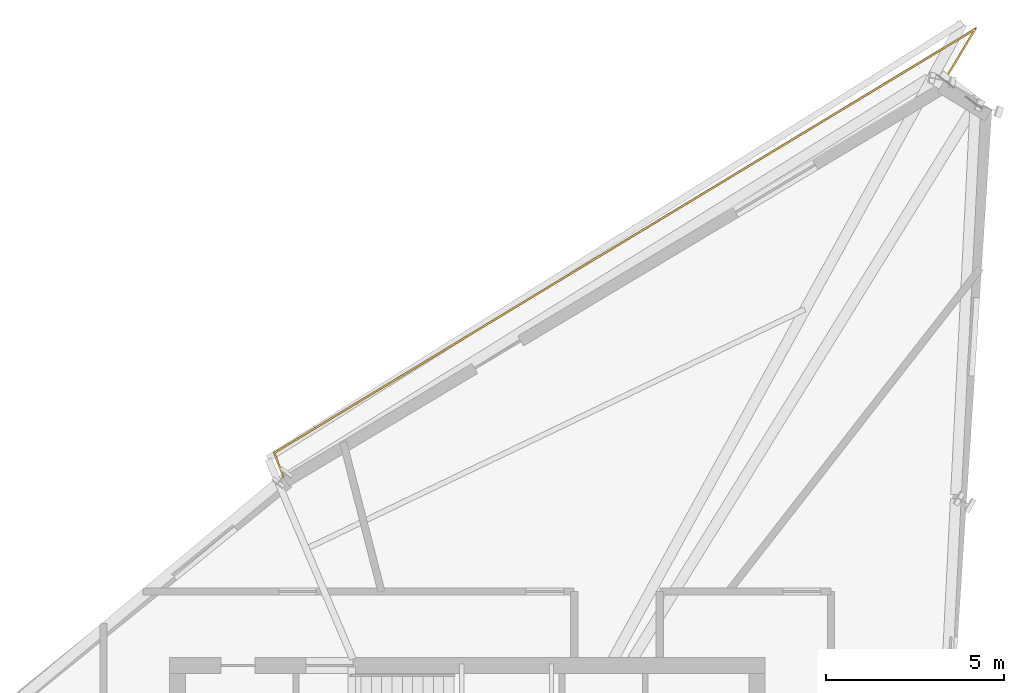
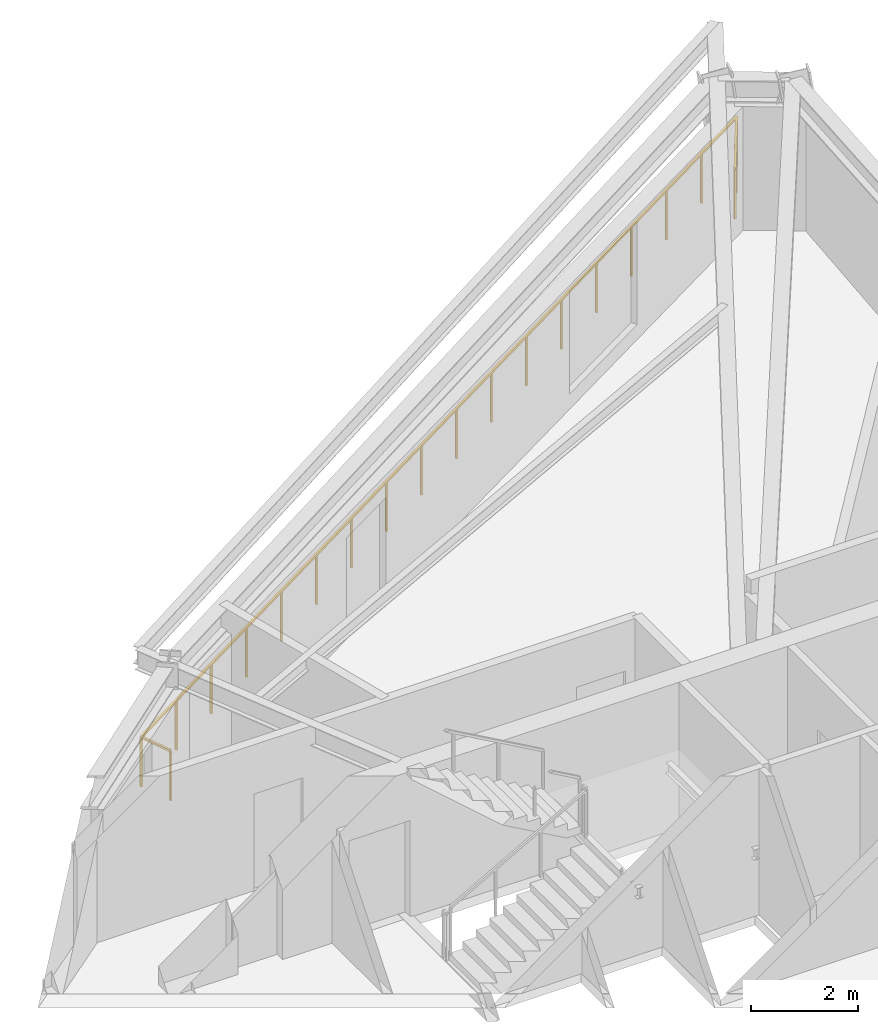
# One storey, part 14 of 14: 1 railing.
"""IFC4 building model written with IfcOpenShell, lengths in metres."""

from ifc_helpers import new_model, si_unit, direction, frame, origin, origin_2d, place, context, subcontext, project, spatial, rectangle, extrude, material, type_object, element, save


model = new_model("IFC4")

# Units and contexts
model_context = context("Model", 3, precision=1e-05, world=origin(), true_north=direction((0.0, 1.0)))
body_context = subcontext(model_context, "Body", "Model", "MODEL_VIEW")
ifc_project = project(units=[si_unit("LENGTHUNIT", "METRE"), si_unit("AREAUNIT", "SQUARE_METRE"), si_unit("VOLUMEUNIT", "CUBIC_METRE"), si_unit("PLANEANGLEUNIT", "RADIAN"), si_unit("MASSUNIT", "GRAM", prefix="KILO")], contexts=[model_context])

# Site, building, storey
site_placement = place(None, origin())
site = spatial("IfcSite", under=ifc_project, at=site_placement, CompositionType="ELEMENT")
building_placement = place(site_placement, origin())
building = spatial("IfcBuilding", under=site, at=building_placement, Name="Olszyna Solenne Hotel", CompositionType="ELEMENT")
storey_placement = place(building_placement, frame((0.0, 0.0, 274.10009765625)))
storey = spatial("IfcBuildingStorey", under=building, at=storey_placement, Name="L73", CompositionType="ELEMENT", Elevation=274.10009765625)

# Railing
ifc_material = material(Name="Anodised bronze aluminium", Category="aluminium")
railing_type = type_object("IfcRailingType", Name="GR-110", PredefinedType="BALUSTRADE", material=ifc_material)
railing_placement = place(storey_placement, frame((51.379638671875, 50.32470703125, 0.0)))
element("IfcRailing", 1, at=railing_placement, inside=storey, type_object=railing_type, Name="Loggia balcony balustrade guard GR-L73-LG1", PredefinedType="BALUSTRADE", context=body_context, shape_type="SweptSolid", body=[
    extrude(rectangle(XDim=0.048095703125, YDim=0.048095703125, at=origin_2d()), frame((0.0, 0.0, 1.1259765625), z_axis=(0.516192497338, 0.856472594828, 0.0), x_axis=(-0.856472594828, 0.516192497338, 0.0)), (0.0, 0.0, 1.0), 1.69189453125),
    extrude(rectangle(XDim=0.048095703125, YDim=0.048095703125, at=origin_2d()), frame((0.873291015625, 1.448974609375, 1.1259765625), z_axis=(-0.855777273655, -0.51734442869, 0.0), x_axis=(0.51734442869, -0.855777273655, 0.0)), (0.0, 0.0, 1.0), 22.978271484375),
    extrude(rectangle(XDim=0.048095703125, YDim=0.048095703125, at=origin_2d()), frame((-18.791015625, -10.438720703125, 1.1259765625), z_axis=(0.352858245582, -0.935676791699, 0.0), x_axis=(0.935676791699, 0.352858245582, 0.0)), (0.0, 0.0, 1.0), 0.709228515625),
    extrude(rectangle(XDim=0.0419921875, YDim=0.0419921875, at=origin_2d()), origin(), (0.0, 0.0, 1.0), 1.101806640625),
    extrude(rectangle(XDim=0.0419921875, YDim=0.0419921875, at=origin_2d()), frame((0.4365234375, 0.724609375, 0.0)), (0.0, 0.0, 1.0), 1.101806640625),
    extrude(rectangle(XDim=0.0419921875, YDim=0.0419921875, at=origin_2d()), frame((0.873291015625, 1.448974609375, 0.0)), (0.0, 0.0, 1.0), 1.101806640625),
    extrude(rectangle(XDim=0.0419921875, YDim=0.0419921875, at=origin_2d()), frame((-0.283447265625, 0.749755859375, 0.0)), (0.0, 0.0, 1.0), 1.101806640625),
    extrude(rectangle(XDim=0.0419921875, YDim=0.0419921875, at=origin_2d()), frame((-1.440185546875, 0.050537109375, 0.0)), (0.0, 0.0, 1.0), 1.101806640625),
    extrude(rectangle(XDim=0.0419921875, YDim=0.0419921875, at=origin_2d()), frame((-2.596923828125, -0.64892578125, 0.0)), (0.0, 0.0, 1.0), 1.101806640625),
    extrude(rectangle(XDim=0.0419921875, YDim=0.0419921875, at=origin_2d()), frame((-3.753662109375, -1.34814453125, 0.0)), (0.0, 0.0, 1.0), 1.101806640625),
    extrude(rectangle(XDim=0.0419921875, YDim=0.0419921875, at=origin_2d()), frame((-4.910400390625, -2.04736328125, 0.0)), (0.0, 0.0, 1.0), 1.101806640625),
    extrude(rectangle(XDim=0.0419921875, YDim=0.0419921875, at=origin_2d()), frame((-6.067138671875, -2.74658203125, 0.0)), (0.0, 0.0, 1.0), 1.101806640625),
    extrude(rectangle(XDim=0.0419921875, YDim=0.0419921875, at=origin_2d()), frame((-7.223876953125, -3.446044921875, 0.0)), (0.0, 0.0, 1.0), 1.101806640625),
    extrude(rectangle(XDim=0.0419921875, YDim=0.0419921875, at=origin_2d()), frame((-8.380615234375, -4.145263671875, 0.0)), (0.0, 0.0, 1.0), 1.101806640625),
    extrude(rectangle(XDim=0.0419921875, YDim=0.0419921875, at=origin_2d()), frame((-9.537109375, -4.844482421875, 0.0)), (0.0, 0.0, 1.0), 1.101806640625),
    extrude(rectangle(XDim=0.0419921875, YDim=0.0419921875, at=origin_2d()), frame((-10.69384765625, -5.543701171875, 0.0)), (0.0, 0.0, 1.0), 1.101806640625),
    extrude(rectangle(XDim=0.0419921875, YDim=0.0419921875, at=origin_2d()), frame((-11.8505859375, -6.2431640625, 0.0)), (0.0, 0.0, 1.0), 1.101806640625),
    extrude(rectangle(XDim=0.0419921875, YDim=0.0419921875, at=origin_2d()), frame((-13.00732421875, -6.9423828125, 0.0)), (0.0, 0.0, 1.0), 1.101806640625),
    extrude(rectangle(XDim=0.0419921875, YDim=0.0419921875, at=origin_2d()), frame((-14.1640625, -7.6416015625, 0.0)), (0.0, 0.0, 1.0), 1.101806640625),
    extrude(rectangle(XDim=0.0419921875, YDim=0.0419921875, at=origin_2d()), frame((-15.32080078125, -8.3408203125, 0.0)), (0.0, 0.0, 1.0), 1.101806640625),
    extrude(rectangle(XDim=0.0419921875, YDim=0.0419921875, at=origin_2d()), frame((-16.4775390625, -9.040283203125, 0.0)), (0.0, 0.0, 1.0), 1.101806640625),
    extrude(rectangle(XDim=0.0419921875, YDim=0.0419921875, at=origin_2d()), frame((-17.63427734375, -9.739501953125, 0.0)), (0.0, 0.0, 1.0), 1.101806640625),
    extrude(rectangle(XDim=0.0419921875, YDim=0.0419921875, at=origin_2d()), frame((-18.791015625, -10.438720703125, 0.0)), (0.0, 0.0, 1.0), 1.101806640625),
    extrude(rectangle(XDim=0.0419921875, YDim=0.0419921875, at=origin_2d()), frame((-18.540771484375, -11.102294921875, 0.0)), (0.0, 0.0, 1.0), 1.101806640625),
])

save(model, "model.ifc")
